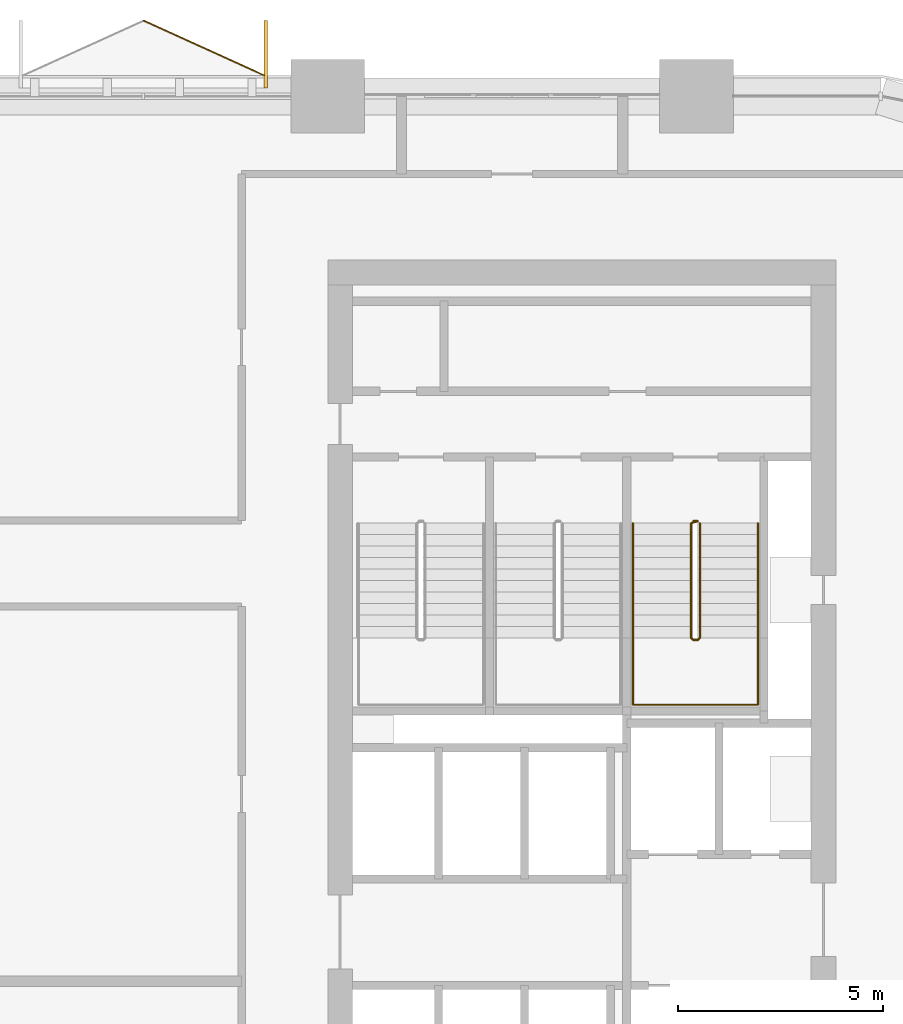
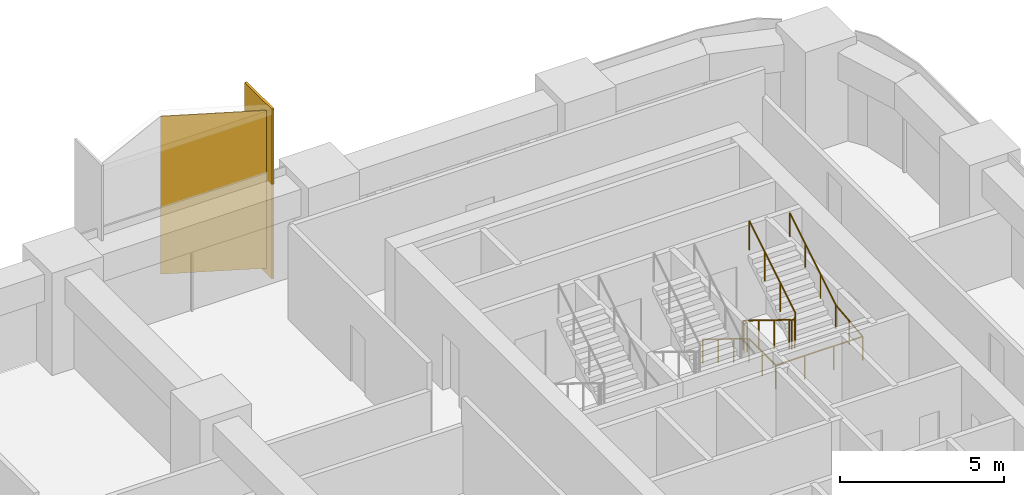
# One storey, part 22 of 22: 2 coverings, 2 railings.
"""IFC4 building model written with IfcOpenShell, lengths in metres."""

from ifc_helpers import new_model, si_unit, direction, frame, origin, origin_2d, place, context, subcontext, project, spatial, polyline, rectangle, circle, outline, extrude, material, layer, layer_set, type_object, element, save


model = new_model("IFC4")

# Units and contexts
model_context = context("Model", 3, precision=1e-05, world=origin(), true_north=direction((0.0, 1.0)))
body_context = subcontext(model_context, "Body", "Model", "MODEL_VIEW")
ifc_project = project(units=[si_unit("LENGTHUNIT", "METRE"), si_unit("AREAUNIT", "SQUARE_METRE"), si_unit("VOLUMEUNIT", "CUBIC_METRE"), si_unit("PLANEANGLEUNIT", "RADIAN"), si_unit("MASSUNIT", "GRAM", prefix="KILO")], contexts=[model_context])

# Site, building, storey
site_placement = place(None, origin())
site = spatial("IfcSite", under=ifc_project, at=site_placement, CompositionType="ELEMENT")
building_placement = place(site_placement, origin())
building = spatial("IfcBuilding", under=site, at=building_placement, Name="Tessera Arch", CompositionType="ELEMENT")
storey_placement = place(building_placement, frame((0.0, 0.0, 53.800048828125)))
storey = spatial("IfcBuildingStorey", under=building, at=storey_placement, Name="L11", CompositionType="ELEMENT", Elevation=53.800048828125)

# Railings
ifc_material_1 = material(Name="Painted steel balustrade", Category="steel")
railing_type_1 = type_object("IfcRailingType", Name="Stair guard 1100", PredefinedType="GUARDRAIL", material=ifc_material_1)
railing_1_placement = place(storey_placement, frame((44.919921875, 43.6298828125, 0.0)))
element("IfcRailing", 1, at=railing_1_placement, inside=storey, type_object=railing_type_1, Name="L11 S1c stair guard 1", PredefinedType="GUARDRAIL", context=body_context, shape_type="SweptSolid", body=[
    extrude(circle(Radius=0.02392578125, at=origin_2d()), frame((-0.00390625, 0.0, 1.076171875), z_axis=(1.0, 0.0, 0.0), x_axis=(0.0, 1.0, 0.0)), (0.0, 0.0, 1.0), 0.1181640625),
    extrude(circle(Radius=0.02392578125, at=origin_2d()), frame((0.11279296875, 0.000732421875, 1.0732421875), z_axis=(-0.664883824791, -0.207078321004, 0.717668494851), x_axis=(0.297361876254, -0.954764847777, 0.0)), (0.0, 0.0, 1.0), 0.24853515625),
    extrude(circle(Radius=0.02392578125, at=origin_2d()), frame((-0.0498046875, -0.04638671875, 1.24658203125), z_axis=(0.0, -0.851089632645, 0.525020415988), x_axis=(1.0, 0.0, 0.0)), (0.0, 0.0, 1.0), 3.2978515625),
    extrude(circle(Radius=0.02392578125, at=origin_2d()), frame((-0.052734375, -2.846923828125, 2.97607421875), z_axis=(0.705375805398, -0.708833529934, 0.0), x_axis=(0.708833529934, 0.705375805398, 0.0)), (0.0, 0.0, 1.0), 0.07861328125),
    extrude(circle(Radius=0.02392578125, at=origin_2d()), frame((-0.00390625, -2.89990234375, 2.97607421875), z_axis=(1.0, 0.0, 0.0), x_axis=(0.0, 1.0, 0.0)), (0.0, 0.0, 1.0), 0.1181640625),
    extrude(circle(Radius=0.02392578125, at=origin_2d()), frame((0.109130859375, -2.90087890625, 2.97216796875), z_axis=(0.267953482034, 0.267953482034, 0.925419830635), x_axis=(-0.707106781187, 0.707106781187, 0.0)), (0.0, 0.0, 1.0), 0.19482421875),
    extrude(circle(Radius=0.02392578125, at=origin_2d()), frame((0.16015625, -2.853271484375, 3.146728515625), z_axis=(0.0, 0.851089632645, 0.525020415988), x_axis=(-1.0, 0.0, 0.0)), (0.0, 0.0, 1.0), 3.2978515625),
    extrude(circle(Radius=0.02099609375, at=origin_2d()), origin(), (0.0, 0.0, 1.0), 1.06396484375),
    extrude(circle(Radius=0.02099609375, at=origin_2d()), frame((0.110107421875, 0.0, 0.0)), (0.0, 0.0, 1.0), 1.06396484375),
    extrude(circle(Radius=0.02099609375, at=origin_2d()), frame((-0.0498046875, -0.0498046875, 0.172607421875)), (0.0, 0.0, 1.0), 1.06396484375),
    extrude(circle(Radius=0.02099609375, at=origin_2d()), frame((-0.0498046875, -0.983154296875, 0.748291015625)), (0.0, 0.0, 1.0), 1.06396484375),
    extrude(circle(Radius=0.02099609375, at=origin_2d()), frame((-0.0498046875, -1.91650390625, 1.32421875)), (0.0, 0.0, 1.0), 1.06396484375),
    extrude(circle(Radius=0.02099609375, at=origin_2d()), frame((-0.0498046875, -2.849853515625, 1.89990234375)), (0.0, 0.0, 1.0), 1.06396484375),
    extrude(circle(Radius=0.02099609375, at=origin_2d()), frame((0.0, -2.89990234375, 1.89990234375)), (0.0, 0.0, 1.0), 1.06396484375),
    extrude(circle(Radius=0.02099609375, at=origin_2d()), frame((0.110107421875, -2.89990234375, 1.89990234375)), (0.0, 0.0, 1.0), 1.06396484375),
    extrude(circle(Radius=0.02099609375, at=origin_2d()), frame((0.16015625, -2.849853515625, 2.07275390625)), (0.0, 0.0, 1.0), 1.06396484375),
    extrude(circle(Radius=0.02099609375, at=origin_2d()), frame((0.16015625, -1.91650390625, 2.6484375)), (0.0, 0.0, 1.0), 1.06396484375),
    extrude(circle(Radius=0.02099609375, at=origin_2d()), frame((0.16015625, -0.983154296875, 3.224365234375)), (0.0, 0.0, 1.0), 1.06396484375),
    extrude(circle(Radius=0.02099609375, at=origin_2d()), frame((0.16015625, -0.0498046875, 3.800048828125)), (0.0, 0.0, 1.0), 1.06396484375),
])
ifc_material_2 = material(Name="Painted steel handrail", Category="steel")
railing_type_2 = type_object("IfcRailingType", Name="Stair handrail 900", PredefinedType="HANDRAIL", material=ifc_material_2)
railing_2_placement = place(storey_placement, frame((43.449951171875, 43.580078125, 0.172607421875)))
element("IfcRailing", 2, at=railing_2_placement, inside=storey, type_object=railing_type_2, Name="L11 S1c stair handrail", PredefinedType="HANDRAIL", context=body_context, shape_type="SweptSolid", body=[
    extrude(circle(Radius=0.02392578125, at=origin_2d()), frame((0.0, 0.00341796875, 0.873779296875), z_axis=(0.0, -0.851089632645, 0.525020415988), x_axis=(1.0, 0.0, 0.0)), (0.0, 0.0, 1.0), 3.2978515625),
    extrude(circle(Radius=0.02392578125, at=origin_2d()), frame((0.0, -2.796142578125, 2.60302734375), z_axis=(0.0, -1.0, 0.0), x_axis=(1.0, 0.0, 0.0)), (0.0, 0.0, 1.0), 1.63818359375),
    extrude(circle(Radius=0.02392578125, at=origin_2d()), frame((-0.00390625, -4.43017578125, 2.60302734375), z_axis=(1.0, 0.0, 0.0), x_axis=(0.0, 1.0, 0.0)), (0.0, 0.0, 1.0), 3.05810546875),
    extrude(circle(Radius=0.02392578125, at=origin_2d()), frame((3.050048828125, -4.43408203125, 2.602783203125), z_axis=(0.0, 0.994425187763, 0.105444515941), x_axis=(-1.0, 0.0, 0.0)), (0.0, 0.0, 1.0), 1.647216796875),
    extrude(circle(Radius=0.02392578125, at=origin_2d()), frame((3.050048828125, -2.803466796875, 2.77392578125), z_axis=(0.0, 0.851089632645, 0.525020415988), x_axis=(-1.0, 0.0, 0.0)), (0.0, 0.0, 1.0), 3.2978515625),
    extrude(circle(Radius=0.02099609375, at=origin_2d()), origin(), (0.0, 0.0, 1.0), 0.86376953125),
    extrude(circle(Radius=0.02099609375, at=origin_2d()), frame((0.0, -0.933349609375, 0.57568359375)), (0.0, 0.0, 1.0), 0.86376953125),
    extrude(circle(Radius=0.02099609375, at=origin_2d()), frame((0.0, -1.86669921875, 1.151611328125)), (0.0, 0.0, 1.0), 0.86376953125),
    extrude(circle(Radius=0.02099609375, at=origin_2d()), frame((0.0, -2.800048828125, 1.727294921875)), (0.0, 0.0, 1.0), 0.86376953125),
    extrude(circle(Radius=0.02099609375, at=origin_2d()), frame((0.0, -3.615234375, 1.727294921875)), (0.0, 0.0, 1.0), 0.86376953125),
    extrude(circle(Radius=0.02099609375, at=origin_2d()), frame((0.0, -4.43017578125, 1.727294921875)), (0.0, 0.0, 1.0), 0.86376953125),
    extrude(circle(Radius=0.02099609375, at=origin_2d()), frame((1.0166015625, -4.43017578125, 1.727294921875)), (0.0, 0.0, 1.0), 0.86376953125),
    extrude(circle(Radius=0.02099609375, at=origin_2d()), frame((2.033447265625, -4.43017578125, 1.727294921875)), (0.0, 0.0, 1.0), 0.86376953125),
    extrude(circle(Radius=0.02099609375, at=origin_2d()), frame((3.050048828125, -4.43017578125, 1.727294921875)), (0.0, 0.0, 1.0), 0.86376953125),
    extrude(circle(Radius=0.02099609375, at=origin_2d()), frame((3.050048828125, -3.615234375, 1.813720703125)), (0.0, 0.0, 1.0), 0.86376953125),
    extrude(circle(Radius=0.02099609375, at=origin_2d()), frame((3.050048828125, -2.800048828125, 1.900146484375)), (0.0, 0.0, 1.0), 0.86376953125),
    extrude(circle(Radius=0.02099609375, at=origin_2d()), frame((3.050048828125, -1.86669921875, 2.475830078125)), (0.0, 0.0, 1.0), 0.86376953125),
    extrude(circle(Radius=0.02099609375, at=origin_2d()), frame((3.050048828125, -0.933349609375, 3.0517578125)), (0.0, 0.0, 1.0), 0.86376953125),
    extrude(circle(Radius=0.02099609375, at=origin_2d()), frame((3.050048828125, 0.0, 3.62744140625)), (0.0, 0.0, 1.0), 0.86376953125),
])

# Coverings
ifc_material_3 = material(Name="Anodised aluminium pale metal", Category="aluminium")
ifc_layer_1 = layer(ifc_material_3, 0.080078125)
ifc_layer_set_1 = layer_set([ifc_layer_1], Name="Window box cheek")
covering_type_1 = type_object("IfcCoveringType", Name="Window box cheek", PredefinedType="CLADDING", material=ifc_layer_set_1)
covering_1_placement = place(storey_placement, origin())
element("IfcCovering", 3, at=covering_1_placement, inside=storey, type_object=covering_type_1, Name="Window box N54.0/2.0 2x2 cheek", PredefinedType="CLADDING", context=body_context, shape_type="SweptSolid", body=[
    extrude(outline(polyline([(34.530029296875, 55.85009765625), (34.449951171875, 55.85009765625), (34.449951171875, 54.199951171875), (34.530029296875, 54.199951171875), (34.530029296875, 55.85009765625)])), origin(), (0.0, 0.0, 1.0), 6.300048828125),
])
ifc_material_4 = material(Name="Anodised aluminium pale metal", Category="aluminium")
ifc_layer_2 = layer(ifc_material_4, 0.028076171875)
ifc_layer_set_2 = layer_set([ifc_layer_2], Name="Window box side panel")
covering_type_2 = type_object("IfcCoveringType", Name="Window box side panel", PredefinedType="CLADDING", material=ifc_layer_set_2)
covering_2_placement = place(storey_placement, frame((32.97509765625, 55.179931640625, 0.2197265625), z_axis=(0.0, 0.0, 1.0), x_axis=(-0.910472144558, 0.413570397858, 0.0)))
element("IfcCovering", 4, at=covering_2_placement, inside=storey, type_object=covering_type_2, Name="Window box N54.0/2.0 2x2 side panel", PredefinedType="CLADDING", context=body_context, shape_type="SweptSolid", body=[
    extrude(rectangle(XDim=3.239990234375, YDim=0.028076171875, at=origin_2d()), origin(), (0.0, 0.0, 1.0), 5.860107421875),
])

save(model, "model.ifc")
